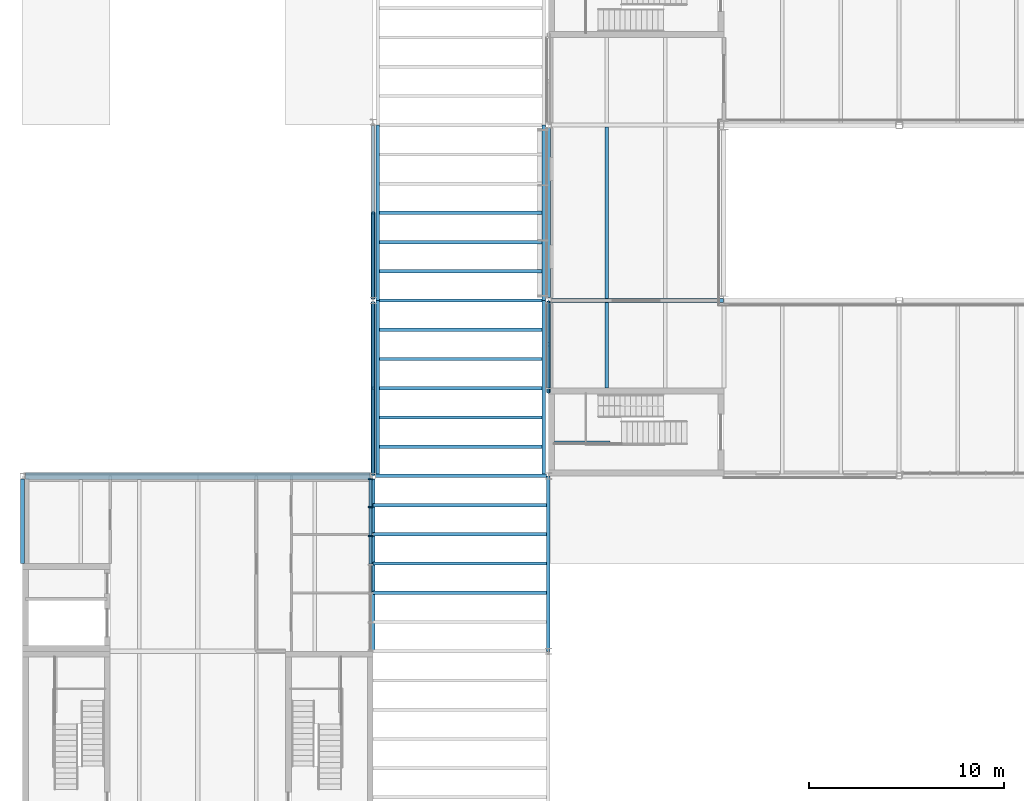
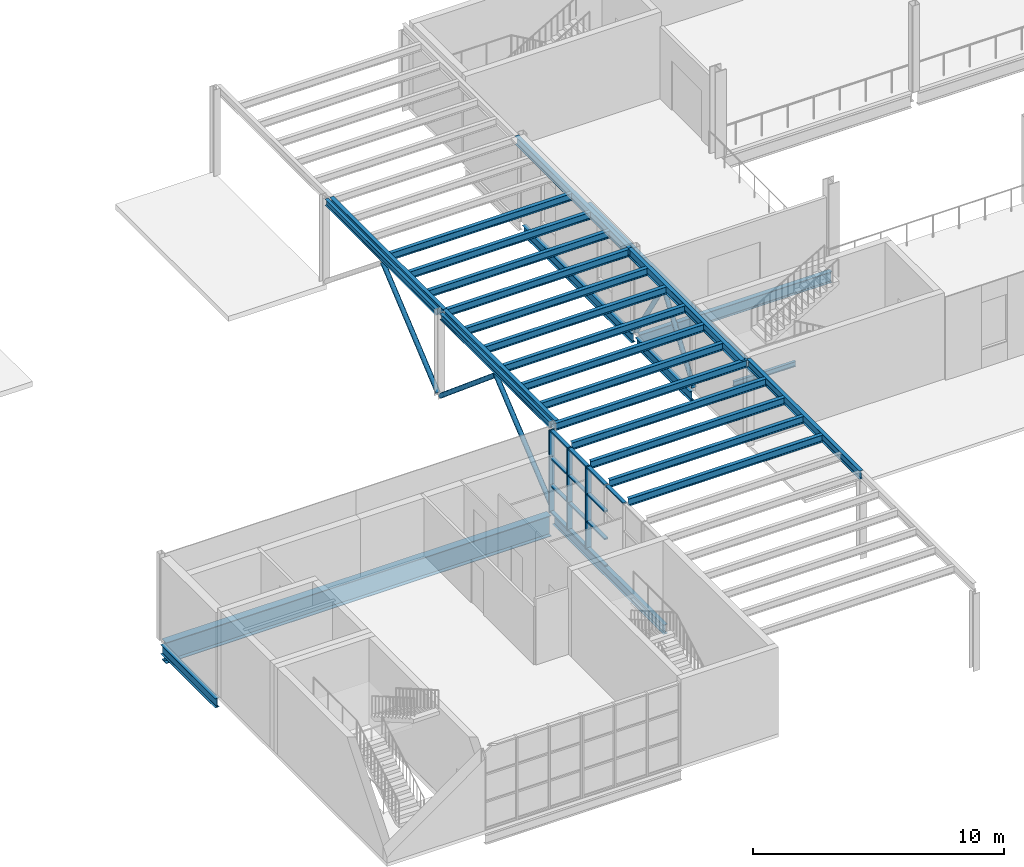
# One storey, part 8 of 57: 35 members, 16 beams, 1 element without a shape of its own.
"""IFC4 building model written with IfcOpenShell, lengths in metres."""

from ifc_helpers import new_model, si_unit, direction, frame, origin, origin_2d, place, context, subcontext, project, spatial, rectangle, hollow_circle, i_section, extrude, material, layer, layer_set, material_profile, profile_set, type_object, element, aggregate, save


model = new_model("IFC4")

# Units and contexts
model_context = context("Model", 3, precision=1e-05, world=origin(), true_north=direction((0.0, 1.0)))
body_context = subcontext(model_context, "Body", "Model", "MODEL_VIEW")
ifc_project = project(units=[si_unit("LENGTHUNIT", "METRE"), si_unit("AREAUNIT", "SQUARE_METRE"), si_unit("VOLUMEUNIT", "CUBIC_METRE"), si_unit("PLANEANGLEUNIT", "RADIAN"), si_unit("MASSUNIT", "GRAM", prefix="KILO")], contexts=[model_context])

# Site, building, storey
site_placement = place(None, origin())
site = spatial("IfcSite", under=ifc_project, at=site_placement, CompositionType="ELEMENT")
building_placement = place(site_placement, origin())
building = spatial("IfcBuilding", under=site, at=building_placement, Name="Halyard Row Museum", CompositionType="ELEMENT")
storey_placement = place(building_placement, frame((0.0, 0.0, 5.0)))
storey = spatial("IfcBuildingStorey", under=building, at=storey_placement, Name="L01", CompositionType="ELEMENT", Elevation=5.0)

# Members
ifc_material_1 = material(Name="Steel Grade C350L0", Category="steel")
ifc_material_profile_1 = material_profile(ifc_material_1, hollow_circle(Radius=0.109619140625, WallThickness=0.00830078125, at=origin_2d()), Name="219.1x8.2CHS")
ifc_profile_set_1 = profile_set([ifc_material_profile_1], Name="Steel Grade C350L0")
member_type_1 = type_object("IfcMemberType", Name="Brace 219.1x8.2CHS", PredefinedType="BRACE", material=ifc_profile_set_1)
member_1_placement = place(storey_placement, frame((18.0, 18.074951171875, 0.109619140625), z_axis=(0.0, 0.769392564377, 0.638776237724), x_axis=(-1.0, 0.0, 0.0)))
element("IfcMember", 1, at=member_1_placement, inside=storey, type_object=member_type_1, Name="Brace L01 X18 18-27 A", PredefinedType="BRACE", context=body_context, shape_type="SweptSolid", body=[
    extrude(hollow_circle(Radius=0.109619140625, WallThickness=0.00830078125, at=origin_2d()), origin(), (0.0, 0.0, 1.0), 5.75146484375),
])
for number, where, z_axis, x_axis, name in (
    (2, (18.0, 26.886474609375, 0.109619140625), (0.0, -0.766613573314, 0.642108736283), (1.0, 0.0, 0.0), "Brace L01 X18 18-27 B"),
    (3, (18.0, 27.113525390625, 0.109619140625), (0.0, 0.766613573314, 0.642108736283), (-1.0, 0.0, 0.0), "Brace L01 X18 27-36 A"),
):
    element("IfcMember", number, at=place(storey_placement, frame(where, z_axis=z_axis, x_axis=x_axis)), inside=storey, type_object=member_type_1, Name=name, PredefinedType="BRACE", context=body_context, shape_type="SweptSolid", body=[
        extrude(hollow_circle(Radius=0.109619140625, WallThickness=0.00830078125, at=origin_2d()), origin(), (0.0, 0.0, 1.0), 5.721923828125),
    ])
member_2_placement = place(storey_placement, frame((27.0, 22.330078125, 0.109619140625), z_axis=(0.0, 0.578689389452, 0.815548030796), x_axis=(-1.0, 0.0, 0.0)))
element("IfcMember", 4, at=member_2_placement, inside=storey, type_object=member_type_1, Name="Brace L01 X27 22.5-27 A", PredefinedType="BRACE", context=body_context, shape_type="SweptSolid", body=[
    extrude(hollow_circle(Radius=0.109619140625, WallThickness=0.00830078125, at=origin_2d()), origin(), (0.0, 0.0, 1.0), 4.181640625),
])
member_3_placement = place(storey_placement, frame((27.0, 26.89990234375, 0.109619140625), z_axis=(0.0, -0.532731436582, 0.846284359112), x_axis=(1.0, 0.0, 0.0)))
element("IfcMember", 5, at=member_3_placement, inside=storey, type_object=member_type_1, Name="Brace L01 X27 22.5-27 B", PredefinedType="BRACE", context=body_context, shape_type="SweptSolid", body=[
    extrude(hollow_circle(Radius=0.109619140625, WallThickness=0.00830078125, at=origin_2d()), origin(), (0.0, 0.0, 1.0), 4.03564453125),
])

# Beams
ifc_material_2 = material(Name="Steel Grade 300", Category="steel")
ifc_material_profile_2 = material_profile(ifc_material_2, i_section(OverallWidth=0.14892578125, OverallDepth=0.298095703125, WebThickness=0.005615234375, FlangeThickness=0.008056640625, FilletRadius=0.012939453125, at=origin_2d()), Name="310UB32.0")
ifc_profile_set_2 = profile_set([ifc_material_profile_2], Name="Steel Grade 300")
beam_type_1 = type_object("IfcBeamType", Name="Bracing girt 310UB32.0", PredefinedType="BEAM", material=ifc_profile_set_2)
beam_1_placement = place(storey_placement, frame((18.0, 18.125, 4.010986328125), z_axis=(0.0, 1.0, 0.0), x_axis=(-1.0, 0.0, 0.0)))
element("IfcBeam", 6, at=beam_1_placement, inside=storey, type_object=beam_type_1, Name="Auditorium girt L01 18-27", PredefinedType="BEAM", context=body_context, shape_type="SweptSolid", body=[
    extrude(i_section(OverallWidth=0.14892578125, OverallDepth=0.298095703125, WebThickness=0.005615234375, FlangeThickness=0.008056640625, FilletRadius=0.012939453125, at=origin_2d()), origin(), (0.0, 0.0, 1.0), 8.71142578125),
])
beam_2_placement = place(storey_placement, frame((18.0, 27.16357421875, 4.010986328125), z_axis=(0.0, 1.0, 0.0), x_axis=(-1.0, 0.0, 0.0)))
element("IfcBeam", 7, at=beam_2_placement, inside=storey, type_object=beam_type_1, Name="Auditorium girt L01 27-36", PredefinedType="BEAM", context=body_context, shape_type="SweptSolid", body=[
    extrude(i_section(OverallWidth=0.14892578125, OverallDepth=0.298095703125, WebThickness=0.005615234375, FlangeThickness=0.008056640625, FilletRadius=0.012939453125, at=origin_2d()), origin(), (0.0, 0.0, 1.0), 8.82275390625),
])

# Curtain wall, members
ifc_material_3 = material(Name="Acoustic laminated double glazed unit", Category="glass")
ifc_layer = layer(ifc_material_3, 0.239990234375)
ifc_layer_set = layer_set([ifc_layer], Name="Acoustic laminated double glazed unit")
curtain_wall_type = type_object("IfcCurtainWallType", Name="Curtain wall foyer 240 deep", PredefinedType="NOTDEFINED", material=ifc_layer_set)
curtain_wall_placement = place(storey_placement, origin())
curtain_wall = element("IfcCurtainWall", 8, at=curtain_wall_placement, inside=storey, type_object=curtain_wall_type, Name="Curtain wall CW030", PredefinedType="NOTDEFINED")
ifc_material_4 = material(Name="Powder-coated aluminium section", Category="aluminium")
ifc_material_profile_3 = material_profile(ifc_material_4, rectangle(XDim=0.239990234375, YDim=0.070068359375, at=origin_2d()), Name="240x70 mullion")
ifc_profile_set_3 = profile_set([ifc_material_profile_3], Name="Powder-coated aluminium section")
member_type_2 = type_object("IfcMemberType", Name="Curtain wall mullion CM4 70 x 240", PredefinedType="MULLION", material=ifc_profile_set_3)
member_4_placement = place(storey_placement, frame((17.860107421875, 14.916748046875, 0.0), z_axis=(0.0, 0.0, 1.0), x_axis=(-1.0, 0.0, 0.0)))
member_4 = element("IfcMember", 9, at=member_4_placement, type_object=member_type_2, Name="CW030 mullion 5", PredefinedType="MULLION", context=body_context, shape_type="SweptSolid", body=[
    extrude(rectangle(XDim=0.239990234375, YDim=0.070068359375, at=origin_2d()), origin(), (0.0, 0.0, 1.0), 4.0),
])
member_5_placement = place(storey_placement, frame((17.860107421875, 16.395751953125, 0.0), z_axis=(0.0, 0.0, 1.0), x_axis=(-1.0, 0.0, 0.0)))
member_5 = element("IfcMember", 10, at=member_5_placement, type_object=member_type_2, Name="CW030 mullion 6", PredefinedType="MULLION", context=body_context, shape_type="SweptSolid", body=[
    extrude(rectangle(XDim=0.239990234375, YDim=0.070068359375, at=origin_2d()), origin(), (0.0, 0.0, 1.0), 4.0),
])
member_6_placement = place(storey_placement, frame((17.860107421875, 17.840087890625, 0.0), z_axis=(0.0, 0.0, 1.0), x_axis=(-1.0, 0.0, 0.0)))
member_6 = element("IfcMember", 11, at=member_6_placement, type_object=member_type_2, Name="CW030 mullion 7", PredefinedType="MULLION", context=body_context, shape_type="SweptSolid", body=[
    extrude(rectangle(XDim=0.239990234375, YDim=0.070068359375, at=origin_2d()), origin(), (0.0, 0.0, 1.0), 4.0),
])
ifc_material_5 = material(Name="Powder-coated aluminium section", Category="aluminium")
ifc_material_profile_4 = material_profile(ifc_material_5, rectangle(XDim=0.169921875, YDim=0.070068359375, at=origin_2d()), Name="170x70 transom")
ifc_profile_set_4 = profile_set([ifc_material_profile_4], Name="Powder-coated aluminium section")
member_type_3 = type_object("IfcMemberType", Name="Curtain wall transom CT4 70 x 170", PredefinedType="USERDEFINED", material=ifc_profile_set_4)
member_7_placement = place(storey_placement, frame((17.860107421875, 11.993408203125, 3.965087890625), z_axis=(0.0, 1.0, 0.0), x_axis=(-1.0, 0.0, 0.0)))
member_7 = element("IfcMember", 12, at=member_7_placement, type_object=member_type_3, Name="CW030 transom 3.4", ObjectType="TRANSOM", PredefinedType="USERDEFINED", context=body_context, shape_type="SweptSolid", body=[
    extrude(rectangle(XDim=0.169921875, YDim=0.070068359375, at=origin_2d()), origin(), (0.0, 0.0, 1.0), 1.4091796875),
])
member_8_placement = place(storey_placement, frame((17.860107421875, 13.472412109375, 0.034912109375), z_axis=(0.0, 1.0, 0.0), x_axis=(-1.0, 0.0, 0.0)))
member_8 = element("IfcMember", 13, at=member_8_placement, type_object=member_type_3, Name="CW030 transom 4.1", ObjectType="TRANSOM", PredefinedType="USERDEFINED", context=body_context, shape_type="SweptSolid", body=[
    extrude(rectangle(XDim=0.169921875, YDim=0.070068359375, at=origin_2d()), origin(), (0.0, 0.0, 1.0), 1.4091796875),
])
member_9_placement = place(storey_placement, frame((17.860107421875, 13.472412109375, 1.333251953125), z_axis=(0.0, 1.0, 0.0), x_axis=(-1.0, 0.0, 0.0)))
member_9 = element("IfcMember", 14, at=member_9_placement, type_object=member_type_3, Name="CW030 transom 4.2", ObjectType="TRANSOM", PredefinedType="USERDEFINED", context=body_context, shape_type="SweptSolid", body=[
    extrude(rectangle(XDim=0.169921875, YDim=0.070068359375, at=origin_2d()), origin(), (0.0, 0.0, 1.0), 1.4091796875),
])
member_10_placement = place(storey_placement, frame((17.860107421875, 13.472412109375, 2.666748046875), z_axis=(0.0, 1.0, 0.0), x_axis=(-1.0, 0.0, 0.0)))
member_10 = element("IfcMember", 15, at=member_10_placement, type_object=member_type_3, Name="CW030 transom 4.3", ObjectType="TRANSOM", PredefinedType="USERDEFINED", context=body_context, shape_type="SweptSolid", body=[
    extrude(rectangle(XDim=0.169921875, YDim=0.070068359375, at=origin_2d()), origin(), (0.0, 0.0, 1.0), 1.4091796875),
])
member_11_placement = place(storey_placement, frame((17.860107421875, 13.472412109375, 3.965087890625), z_axis=(0.0, 1.0, 0.0), x_axis=(-1.0, 0.0, 0.0)))
member_11 = element("IfcMember", 16, at=member_11_placement, type_object=member_type_3, Name="CW030 transom 4.4", ObjectType="TRANSOM", PredefinedType="USERDEFINED", context=body_context, shape_type="SweptSolid", body=[
    extrude(rectangle(XDim=0.169921875, YDim=0.070068359375, at=origin_2d()), origin(), (0.0, 0.0, 1.0), 1.4091796875),
])
member_12_placement = place(storey_placement, frame((17.860107421875, 14.95166015625, 0.034912109375), z_axis=(0.0, 1.0, 0.0), x_axis=(-1.0, 0.0, 0.0)))
member_12 = element("IfcMember", 17, at=member_12_placement, type_object=member_type_3, Name="CW030 transom 5.1", ObjectType="TRANSOM", PredefinedType="USERDEFINED", context=body_context, shape_type="SweptSolid", body=[
    extrude(rectangle(XDim=0.169921875, YDim=0.070068359375, at=origin_2d()), origin(), (0.0, 0.0, 1.0), 1.4091796875),
])
member_13_placement = place(storey_placement, frame((17.860107421875, 14.95166015625, 1.333251953125), z_axis=(0.0, 1.0, 0.0), x_axis=(-1.0, 0.0, 0.0)))
member_13 = element("IfcMember", 18, at=member_13_placement, type_object=member_type_3, Name="CW030 transom 5.2", ObjectType="TRANSOM", PredefinedType="USERDEFINED", context=body_context, shape_type="SweptSolid", body=[
    extrude(rectangle(XDim=0.169921875, YDim=0.070068359375, at=origin_2d()), origin(), (0.0, 0.0, 1.0), 1.4091796875),
])
member_14_placement = place(storey_placement, frame((17.860107421875, 14.95166015625, 2.666748046875), z_axis=(0.0, 1.0, 0.0), x_axis=(-1.0, 0.0, 0.0)))
member_14 = element("IfcMember", 19, at=member_14_placement, type_object=member_type_3, Name="CW030 transom 5.3", ObjectType="TRANSOM", PredefinedType="USERDEFINED", context=body_context, shape_type="SweptSolid", body=[
    extrude(rectangle(XDim=0.169921875, YDim=0.070068359375, at=origin_2d()), origin(), (0.0, 0.0, 1.0), 1.4091796875),
])
member_15_placement = place(storey_placement, frame((17.860107421875, 14.95166015625, 3.965087890625), z_axis=(0.0, 1.0, 0.0), x_axis=(-1.0, 0.0, 0.0)))
member_15 = element("IfcMember", 20, at=member_15_placement, type_object=member_type_3, Name="CW030 transom 5.4", ObjectType="TRANSOM", PredefinedType="USERDEFINED", context=body_context, shape_type="SweptSolid", body=[
    extrude(rectangle(XDim=0.169921875, YDim=0.070068359375, at=origin_2d()), origin(), (0.0, 0.0, 1.0), 1.4091796875),
])
member_16_placement = place(storey_placement, frame((17.860107421875, 16.430908203125, 0.034912109375), z_axis=(0.0, 1.0, 0.0), x_axis=(-1.0, 0.0, 0.0)))
member_16 = element("IfcMember", 21, at=member_16_placement, type_object=member_type_3, Name="CW030 transom 6.1", ObjectType="TRANSOM", PredefinedType="USERDEFINED", context=body_context, shape_type="SweptSolid", body=[
    extrude(rectangle(XDim=0.169921875, YDim=0.070068359375, at=origin_2d()), origin(), (0.0, 0.0, 1.0), 1.3740234375),
])
member_17_placement = place(storey_placement, frame((17.860107421875, 16.430908203125, 1.333251953125), z_axis=(0.0, 1.0, 0.0), x_axis=(-1.0, 0.0, 0.0)))
member_17 = element("IfcMember", 22, at=member_17_placement, type_object=member_type_3, Name="CW030 transom 6.2", ObjectType="TRANSOM", PredefinedType="USERDEFINED", context=body_context, shape_type="SweptSolid", body=[
    extrude(rectangle(XDim=0.169921875, YDim=0.070068359375, at=origin_2d()), origin(), (0.0, 0.0, 1.0), 1.3740234375),
])
member_18_placement = place(storey_placement, frame((17.860107421875, 16.430908203125, 2.666748046875), z_axis=(0.0, 1.0, 0.0), x_axis=(-1.0, 0.0, 0.0)))
member_18 = element("IfcMember", 23, at=member_18_placement, type_object=member_type_3, Name="CW030 transom 6.3", ObjectType="TRANSOM", PredefinedType="USERDEFINED", context=body_context, shape_type="SweptSolid", body=[
    extrude(rectangle(XDim=0.169921875, YDim=0.070068359375, at=origin_2d()), origin(), (0.0, 0.0, 1.0), 1.3740234375),
])
member_19_placement = place(storey_placement, frame((17.860107421875, 16.430908203125, 3.965087890625), z_axis=(0.0, 1.0, 0.0), x_axis=(-1.0, 0.0, 0.0)))
member_19 = element("IfcMember", 24, at=member_19_placement, type_object=member_type_3, Name="CW030 transom 6.4", ObjectType="TRANSOM", PredefinedType="USERDEFINED", context=body_context, shape_type="SweptSolid", body=[
    extrude(rectangle(XDim=0.169921875, YDim=0.070068359375, at=origin_2d()), origin(), (0.0, 0.0, 1.0), 1.3740234375),
])
aggregate(curtain_wall, [member_4, member_5, member_6, member_7, member_8, member_9, member_10, member_11, member_12, member_13, member_14, member_15, member_16, member_17, member_18, member_19])

# Beams
ifc_material_6 = material(Name="Steel Grade 300", Category="steel")
ifc_material_profile_5 = material_profile(ifc_material_6, i_section(OverallWidth=0.18994140625, OverallDepth=0.45751953125, WebThickness=0.009033203125, FlangeThickness=0.014404296875, FilletRadius=0.011474609375, at=origin_2d()), Name="460UB74.6")
ifc_profile_set_5 = profile_set([ifc_material_profile_5], Name="Steel Grade 300")
beam_type_2 = type_object("IfcBeamType", Name="Edge beam 460UB74.6", PredefinedType="BEAM", material=ifc_profile_set_5)
beam_3_placement = place(storey_placement, frame((0.0, 13.5, -0.393798828125), z_axis=(0.0, 1.0, 0.0), x_axis=(-1.0, 0.0, 0.0)))
element("IfcBeam", 25, at=beam_3_placement, inside=storey, type_object=beam_type_2, Name="Beam L01-045", PredefinedType="BEAM", context=body_context, shape_type="SweptSolid", body=[
    extrude(i_section(OverallWidth=0.18994140625, OverallDepth=0.45751953125, WebThickness=0.009033203125, FlangeThickness=0.014404296875, FilletRadius=0.011474609375, at=origin_2d()), origin(), (0.0, 0.0, 1.0), 4.35009765625),
])
beam_4_placement = place(storey_placement, frame((18.0, 9.0, -0.393798828125), z_axis=(0.0, 1.0, 0.0), x_axis=(-1.0, 0.0, 0.0)))
element("IfcBeam", 26, at=beam_4_placement, inside=storey, type_object=beam_type_2, Name="Beam L01-048", PredefinedType="BEAM", context=body_context, shape_type="SweptSolid", body=[
    extrude(i_section(OverallWidth=0.18994140625, OverallDepth=0.45751953125, WebThickness=0.009033203125, FlangeThickness=0.014404296875, FilletRadius=0.011474609375, at=origin_2d()), origin(), (0.0, 0.0, 1.0), 8.85009765625),
])
beam_5_placement = place(storey_placement, frame((27.0, 22.5, -0.393798828125), z_axis=(0.0, 1.0, 0.0), x_axis=(-1.0, 0.0, 0.0)))
element("IfcBeam", 27, at=beam_5_placement, inside=storey, type_object=beam_type_2, Name="Beam L01-049", PredefinedType="BEAM", context=body_context, shape_type="SweptSolid", body=[
    extrude(i_section(OverallWidth=0.18994140625, OverallDepth=0.45751953125, WebThickness=0.009033203125, FlangeThickness=0.014404296875, FilletRadius=0.011474609375, at=origin_2d()), origin(), (0.0, 0.0, 1.0), 4.35009765625),
])
beam_6_placement = place(storey_placement, frame((27.0, 27.14990234375, -0.393798828125), z_axis=(0.0, 1.0, 0.0), x_axis=(-1.0, 0.0, 0.0)))
element("IfcBeam", 28, at=beam_6_placement, inside=storey, type_object=beam_type_2, Name="Beam L01-050", PredefinedType="BEAM", context=body_context, shape_type="SweptSolid", body=[
    extrude(i_section(OverallWidth=0.18994140625, OverallDepth=0.45751953125, WebThickness=0.009033203125, FlangeThickness=0.014404296875, FilletRadius=0.011474609375, at=origin_2d()), origin(), (0.0, 0.0, 1.0), 8.7001953125),
])
ifc_material_7 = material(Name="Steel Grade 300", Category="steel")
ifc_material_profile_6 = material_profile(ifc_material_7, i_section(OverallWidth=0.208984375, OverallDepth=0.532958984375, WebThickness=0.01025390625, FlangeThickness=0.015625, FilletRadius=0.013916015625, at=origin_2d()), Name="530UB92.4")
ifc_profile_set_6 = profile_set([ifc_material_profile_6], Name="Steel Grade 300")
beam_type_3 = type_object("IfcBeamType", Name="Girder beam 530UB92.4", PredefinedType="BEAM", material=ifc_profile_set_6)
beam_7_placement = place(storey_placement, frame((27.14990234375, 27.0, -0.431396484375), z_axis=(1.0, 0.0, 0.0), x_axis=(0.0, 1.0, 0.0)))
element("IfcBeam", 29, at=beam_7_placement, inside=storey, type_object=beam_type_3, Name="Beam L01-017", PredefinedType="BEAM", context=body_context, shape_type="SweptSolid", body=[
    extrude(i_section(OverallWidth=0.208984375, OverallDepth=0.532958984375, WebThickness=0.01025390625, FlangeThickness=0.015625, FilletRadius=0.013916015625, at=origin_2d()), origin(), (0.0, 0.0, 1.0), 8.830078125),
])
ifc_material_8 = material(Name="Steel Grade 300", Category="steel")
ifc_material_profile_7 = material_profile(ifc_material_8, i_section(OverallWidth=0.1240234375, OverallDepth=0.248046875, WebThickness=0.0048828125, FlangeThickness=0.008056640625, FilletRadius=0.011962890625, at=origin_2d()), Name="250UB25.7")
ifc_profile_set_7 = profile_set([ifc_material_profile_7], Name="Steel Grade 300")
beam_type_4 = type_object("IfcBeamType", Name="Landing trimmer 250UB25.7", PredefinedType="BEAM", material=ifc_profile_set_7)
beam_8_placement = place(storey_placement, frame((27.297119140625, 19.721923828125, 1.77587890625), z_axis=(1.0, 0.0, 0.0), x_axis=(0.0, 1.0, 0.0)))
element("IfcBeam", 30, at=beam_8_placement, inside=storey, type_object=beam_type_4, Name="Landing ledger K1D L01 1", PredefinedType="BEAM", context=body_context, shape_type="SweptSolid", body=[
    extrude(i_section(OverallWidth=0.1240234375, OverallDepth=0.248046875, WebThickness=0.0048828125, FlangeThickness=0.008056640625, FilletRadius=0.011962890625, at=origin_2d()), origin(), (0.0, 0.0, 1.0), 2.852783203125),
])
ifc_material_9 = material(Name="Steel Grade 300", Category="steel")
ifc_material_profile_8 = material_profile(ifc_material_9, i_section(OverallWidth=0.35009765625, OverallDepth=1.010009765625, WebThickness=0.01611328125, FlangeThickness=0.02490234375, at=origin_2d()), Name="1000WB258")
ifc_profile_set_8 = profile_set([ifc_material_profile_8], Name="Steel Grade 300")
beam_type_5 = type_object("IfcBeamType", Name="Long span beam 1000WB258", PredefinedType="BEAM", material=ifc_profile_set_8)
beam_9_placement = place(storey_placement, frame((0.14990234375, 18.0, -0.669921875), z_axis=(1.0, 0.0, 0.0), x_axis=(0.0, 1.0, 0.0)))
element("IfcBeam", 31, at=beam_9_placement, inside=storey, type_object=beam_type_5, Name="Beam L01-011", PredefinedType="BEAM", context=body_context, shape_type="SweptSolid", body=[
    extrude(i_section(OverallWidth=0.35009765625, OverallDepth=1.010009765625, WebThickness=0.01611328125, FlangeThickness=0.02490234375, at=origin_2d()), origin(), (0.0, 0.0, 1.0), 17.7001953125),
])
ifc_material_10 = material(Name="Steel Grade 300", Category="steel")
ifc_material_profile_9 = material_profile(ifc_material_10, i_section(OverallWidth=0.177978515625, OverallDepth=0.402587890625, WebThickness=0.007568359375, FlangeThickness=0.010986328125, FilletRadius=0.011474609375, at=origin_2d()), Name="410UB53.7")
ifc_profile_set_9 = profile_set([ifc_material_profile_9], Name="Steel Grade 300")
beam_type_6 = type_object("IfcBeamType", Name="Passage edge beam 410UB53.7", PredefinedType="BEAM", material=ifc_profile_set_9)
beam_10_placement = place(storey_placement, frame((18.244384765625, 18.08544921875, 3.958740234375), z_axis=(0.0, 1.0, 0.0), x_axis=(-1.0, 0.0, 0.0)))
element("IfcBeam", 32, at=beam_10_placement, inside=storey, type_object=beam_type_6, Name="Passage edge beam W 18-27", PredefinedType="BEAM", context=body_context, shape_type="SweptSolid", body=[
    extrude(i_section(OverallWidth=0.177978515625, OverallDepth=0.402587890625, WebThickness=0.007568359375, FlangeThickness=0.010986328125, FilletRadius=0.011474609375, at=origin_2d()), origin(), (0.0, 0.0, 1.0), 8.91455078125),
])
for number, where, z_axis, x_axis, name in (
    (33, (18.244384765625, 27.0, 3.958740234375), (0.0, 1.0, 0.0), (-1.0, 0.0, 0.0), "Passage edge beam W 27-36"),
    (34, (27.0, 9.0, 3.958740234375), (0.0, 1.0, 0.0), (-1.0, 0.0, 0.0), "Passage edge beam E 9-18"),
    (35, (26.755615234375, 18.0, 3.958740234375), (0.0, 1.0, 0.0), (-1.0, 0.0, 0.0), "Passage edge beam E 18-27"),
    (36, (26.755615234375, 27.0, 3.958740234375), (0.0, 1.0, 0.0), (-1.0, 0.0, 0.0), "Passage edge beam E 27-36"),
):
    element("IfcBeam", number, at=place(storey_placement, frame(where, z_axis=z_axis, x_axis=x_axis)), inside=storey, type_object=beam_type_6, Name=name, PredefinedType="BEAM", context=body_context, shape_type="SweptSolid", body=[
        extrude(i_section(OverallWidth=0.177978515625, OverallDepth=0.402587890625, WebThickness=0.007568359375, FlangeThickness=0.010986328125, FilletRadius=0.011474609375, at=origin_2d()), origin(), (0.0, 0.0, 1.0), 9.0),
    ])

# Members
ifc_material_11 = material(Name="Steel Grade 300", Category="steel")
ifc_material_profile_10 = material_profile(ifc_material_11, i_section(OverallWidth=0.1708984375, OverallDepth=0.35205078125, WebThickness=0.0068359375, FlangeThickness=0.009765625, FilletRadius=0.011474609375, at=origin_2d()), Name="360UB44.7")
ifc_profile_set_10 = profile_set([ifc_material_profile_10], Name="Steel Grade 300")
member_type_4 = type_object("IfcMemberType", Name="Passage rafter 360UB44.7", PredefinedType="RAFTER", material=ifc_profile_set_10)
for number, where, z_axis, x_axis, name in (
    (37, (18.0, 12.0, 3.98388671875), (1.0, 0.0, 0.0), (0.0, 1.0, 0.0), "Passage rafter 9"),
    (38, (18.0, 13.5, 3.98388671875), (1.0, 0.0, 0.0), (0.0, 1.0, 0.0), "Passage rafter 10"),
    (39, (18.0, 15.0, 3.98388671875), (1.0, 0.0, 0.0), (0.0, 1.0, 0.0), "Passage rafter 11"),
    (40, (18.0, 16.5, 3.98388671875), (1.0, 0.0, 0.0), (0.0, 1.0, 0.0), "Passage rafter 12"),
):
    element("IfcMember", number, at=place(storey_placement, frame(where, z_axis=z_axis, x_axis=x_axis)), inside=storey, type_object=member_type_4, Name=name, PredefinedType="RAFTER", context=body_context, shape_type="SweptSolid", body=[
        extrude(i_section(OverallWidth=0.1708984375, OverallDepth=0.35205078125, WebThickness=0.0068359375, FlangeThickness=0.009765625, FilletRadius=0.011474609375, at=origin_2d()), origin(), (0.0, 0.0, 1.0), 8.910888671875),
    ])
member_20_placement = place(storey_placement, frame((18.125, 18.0, 3.98388671875), z_axis=(1.0, 0.0, 0.0), x_axis=(0.0, 1.0, 0.0)))
element("IfcMember", 41, at=member_20_placement, inside=storey, type_object=member_type_4, Name="Passage rafter 13", PredefinedType="RAFTER", context=body_context, shape_type="SweptSolid", body=[
    extrude(i_section(OverallWidth=0.1708984375, OverallDepth=0.35205078125, WebThickness=0.0068359375, FlangeThickness=0.009765625, FilletRadius=0.011474609375, at=origin_2d()), origin(), (0.0, 0.0, 1.0), 8.785888671875),
])
for number, where, z_axis, x_axis, name in (
    (42, (18.33349609375, 19.5, 3.98388671875), (1.0, 0.0, 0.0), (0.0, 1.0, 0.0), "Passage rafter 14"),
    (43, (18.33349609375, 21.0, 3.98388671875), (1.0, 0.0, 0.0), (0.0, 1.0, 0.0), "Passage rafter 15"),
    (44, (18.33349609375, 22.5, 3.98388671875), (1.0, 0.0, 0.0), (0.0, 1.0, 0.0), "Passage rafter 16"),
    (45, (18.33349609375, 24.0, 3.98388671875), (1.0, 0.0, 0.0), (0.0, 1.0, 0.0), "Passage rafter 17"),
    (46, (18.33349609375, 25.5, 3.98388671875), (1.0, 0.0, 0.0), (0.0, 1.0, 0.0), "Passage rafter 18"),
    (47, (18.33349609375, 27.0, 3.98388671875), (1.0, 0.0, 0.0), (0.0, 1.0, 0.0), "Passage rafter 19"),
    (48, (18.33349609375, 28.5, 3.98388671875), (1.0, 0.0, 0.0), (0.0, 1.0, 0.0), "Passage rafter 20"),
    (49, (18.33349609375, 30.0, 3.98388671875), (1.0, 0.0, 0.0), (0.0, 1.0, 0.0), "Passage rafter 21"),
    (50, (18.33349609375, 31.5, 3.98388671875), (1.0, 0.0, 0.0), (0.0, 1.0, 0.0), "Passage rafter 22"),
):
    element("IfcMember", number, at=place(storey_placement, frame(where, z_axis=z_axis, x_axis=x_axis)), inside=storey, type_object=member_type_4, Name=name, PredefinedType="RAFTER", context=body_context, shape_type="SweptSolid", body=[
        extrude(i_section(OverallWidth=0.1708984375, OverallDepth=0.35205078125, WebThickness=0.0068359375, FlangeThickness=0.009765625, FilletRadius=0.011474609375, at=origin_2d()), origin(), (0.0, 0.0, 1.0), 8.3330078125),
    ])

# Beams
ifc_material_12 = material(Name="Steel Grade 300", Category="steel")
ifc_material_profile_11 = material_profile(ifc_material_12, i_section(OverallWidth=0.177978515625, OverallDepth=0.406494140625, WebThickness=0.0078125, FlangeThickness=0.0126953125, FilletRadius=0.011474609375, at=origin_2d()), Name="410UB59.7")
ifc_profile_set_11 = profile_set([ifc_material_profile_11], Name="Steel Grade 300")
beam_type_7 = type_object("IfcBeamType", Name="Secondary beam 410UB59.7", PredefinedType="BEAM", material=ifc_profile_set_11)
beam_11_placement = place(storey_placement, frame((30.0, 22.5, -0.3681640625), z_axis=(0.0, 1.0, 0.0), x_axis=(-1.0, 0.0, 0.0)))
element("IfcBeam", 51, at=beam_11_placement, inside=storey, type_object=beam_type_7, Name="Beam L01-111", PredefinedType="BEAM", context=body_context, shape_type="SweptSolid", body=[
    extrude(i_section(OverallWidth=0.177978515625, OverallDepth=0.406494140625, WebThickness=0.0078125, FlangeThickness=0.0126953125, FilletRadius=0.011474609375, at=origin_2d()), origin(), (0.0, 0.0, 1.0), 4.3955078125),
])
beam_12_placement = place(storey_placement, frame((30.0, 27.1044921875, -0.3681640625), z_axis=(0.0, 1.0, 0.0), x_axis=(-1.0, 0.0, 0.0)))
element("IfcBeam", 52, at=beam_12_placement, inside=storey, type_object=beam_type_7, Name="Beam L01-115", PredefinedType="BEAM", context=body_context, shape_type="SweptSolid", body=[
    extrude(i_section(OverallWidth=0.177978515625, OverallDepth=0.406494140625, WebThickness=0.0078125, FlangeThickness=0.0126953125, FilletRadius=0.011474609375, at=origin_2d()), origin(), (0.0, 0.0, 1.0), 8.791015625),
])

save(model, "model.ifc")
